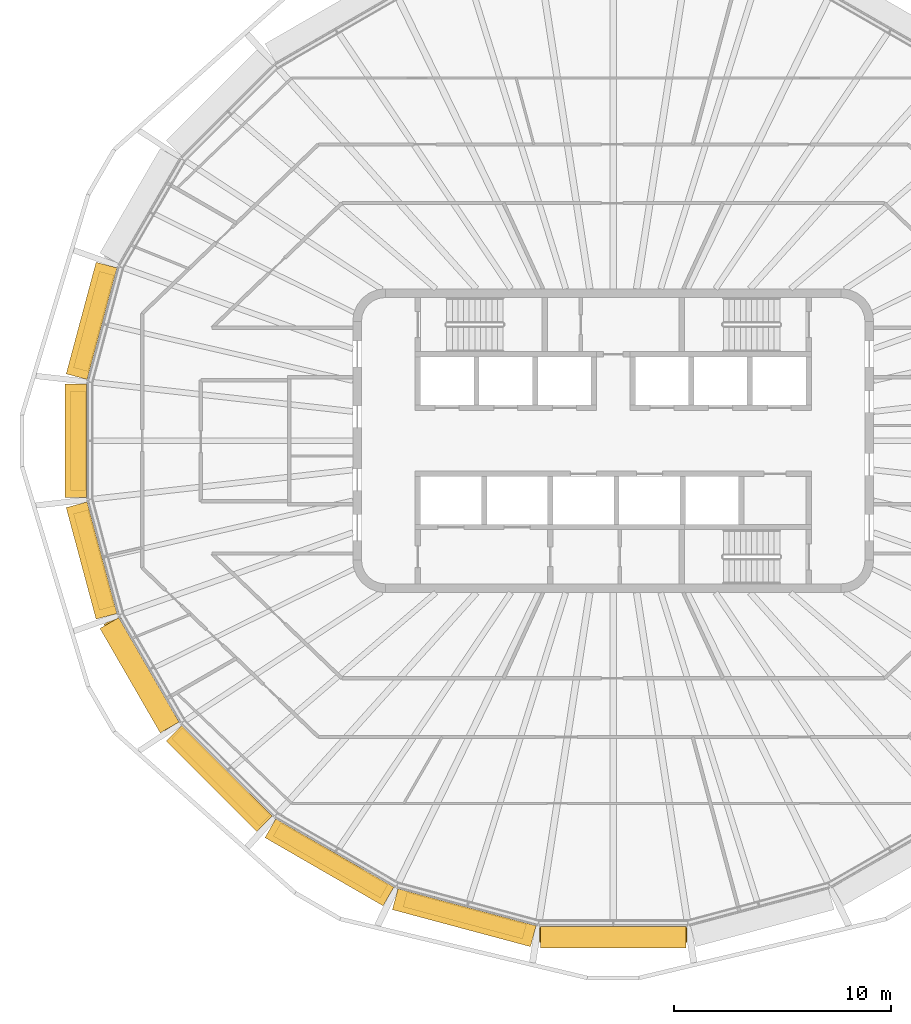
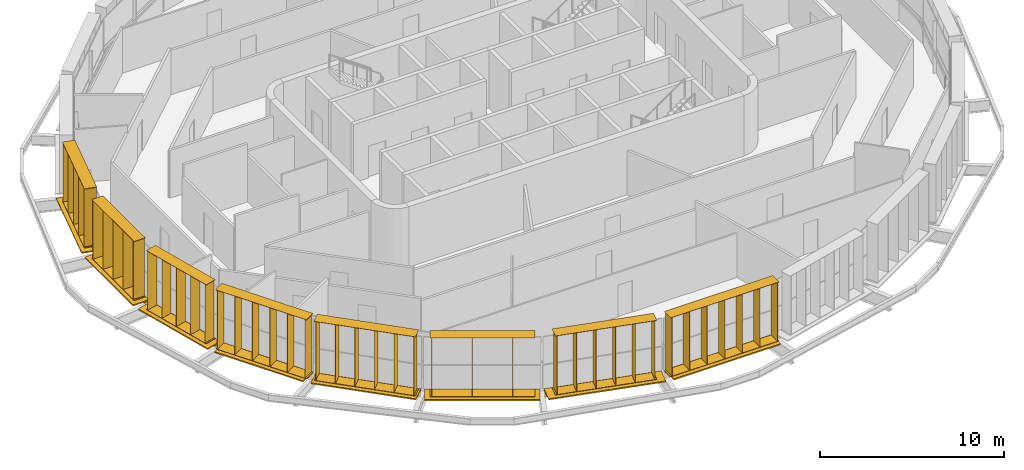
# One storey, part 14 of 18: 16 shading devices.
"""IFC4 building model written with IfcOpenShell, lengths in metres."""

import ifcopenshell
import ifcopenshell.guid

model = None  # the IFC model being written
_history = None  # IfcOwnerHistory: only IFC2X3 demands one
_inside = {}  # id of a spatial element -> (the spatial element, [elements in it])
_under = {}  # id of a project, library or spatial element -> (it, [spatial elements below it])
_declared = {}  # id of a project -> (the project, [libraries it declares])
_typed = {}  # id of a type object -> (the type object, [elements of that type])
_made_of = {}  # id of a material, layer set ... -> (it, [elements and type objects made of it])


def new_model(schema):
    """Start an empty IFC model of exactly this schema.

    Asked for "IFC4X3", IfcOpenShell would pick the latest addendum, in which some entities
    have other attributes; the version numbers below select the first issue.
    IFC2X3 requires an IfcOwnerHistory on every rooted entity: one is made here for all.
    """
    global model, _history
    if schema == "IFC4X3":
        model = ifcopenshell.file(schema_version=(4, 3, 0, 0))
    else:
        model = ifcopenshell.file(schema=schema)
    _inside.clear()
    _under.clear()
    _declared.clear()
    _typed.clear()
    _made_of.clear()
    _history = None
    if model.schema == "IFC2X3":
        org = make("IfcOrganization", Name="unknown")
        user = make(
            "IfcPersonAndOrganization",
            ThePerson=make("IfcPerson", FamilyName="unknown"),
            TheOrganization=org,
        )
        app = make(
            "IfcApplication",
            ApplicationDeveloper=org,
            Version="unknown",
            ApplicationFullName="unknown",
            ApplicationIdentifier="unknown",
        )
        _history = make(
            "IfcOwnerHistory",
            OwningUser=user,
            OwningApplication=app,
            ChangeAction="ADDED",
            CreationDate=0,
        )
    return model


def make(cls, **values):
    """One entity of the class cls with the attributes given. An attribute that is None is left unset."""
    return model.create_entity(
        cls, **{name: value for name, value in values.items() if value is not None}
    )


def rooted(cls, **values):
    """An entity with a GlobalId (a new one), such as an element, a storey or a relation."""
    return make(cls, GlobalId=ifcopenshell.guid.new(), OwnerHistory=_history, **values)


def si_unit(unit_type, name, prefix=None):
    """IfcSIUnit, for example si_unit("LENGTHUNIT", "METRE", prefix="MILLI")."""
    return make("IfcSIUnit", UnitType=unit_type, Prefix=prefix, Name=name)


def assignment(units):
    """IfcUnitAssignment: the units of a project."""
    return None if units is None else make("IfcUnitAssignment", Units=units)


def point(xyz):
    """IfcCartesianPoint."""
    return None if xyz is None else make("IfcCartesianPoint", Coordinates=xyz)


def direction(xyz):
    """IfcDirection."""
    return None if xyz is None else make("IfcDirection", DirectionRatios=xyz)


def frame(location, z_axis=None, x_axis=None):
    """IfcAxis2Placement3D, a coordinate frame: its origin and axes. An axis left out is left unset."""
    return make(
        "IfcAxis2Placement3D",
        Location=point(location),
        Axis=direction(z_axis),
        RefDirection=direction(x_axis),
    )


def frame_2d(location, x_axis=None):
    """IfcAxis2Placement2D, a coordinate frame in the plane: its origin and x axis."""
    return make(
        "IfcAxis2Placement2D", Location=point(location), RefDirection=direction(x_axis)
    )


def origin():
    """The frame at (0, 0, 0) with its axes left unset."""
    return frame((0.0, 0.0, 0.0))


def origin_2d():
    """The frame at (0, 0) in the plane with its x axis left unset."""
    return frame_2d((0.0, 0.0))


def place(relative_to, where):
    """IfcLocalPlacement: puts the frame where relative to a parent placement (None: the world)."""
    return make(
        "IfcLocalPlacement", PlacementRelTo=relative_to, RelativePlacement=where
    )


def context(
    kind, dimensions, precision=None, world=None, true_north=None, identifier=None
):
    """IfcGeometricRepresentationContext, for example the 3D "Model" context."""
    return make(
        "IfcGeometricRepresentationContext",
        ContextIdentifier=identifier,
        ContextType=kind,
        CoordinateSpaceDimension=dimensions,
        Precision=precision,
        WorldCoordinateSystem=world,
        TrueNorth=true_north,
    )


def subcontext(parent, identifier, kind, view, scale=None):
    """IfcGeometricRepresentationSubContext, for example "Body" below "Model"."""
    return make(
        "IfcGeometricRepresentationSubContext",
        ContextIdentifier=identifier,
        ContextType=kind,
        ParentContext=parent,
        TargetScale=scale,
        TargetView=view,
    )


def project(units=None, contexts=None):
    """IfcProject with its units and contexts."""
    return rooted(
        "IfcProject",
        Name="project",
        RepresentationContexts=contexts,
        UnitsInContext=assignment(units),
    )


def spatial(cls, under=None, at=None, **own):
    """A site, building, storey or space (cls), placed at a placement, below another one or the project."""
    s = rooted(cls, ObjectPlacement=at, **own)
    if under is not None:
        _under.setdefault(under.id(), (under, []))[1].append(s)
    return s


def profile(cls, at=None, kind="AREA", **sizes):
    """A parametric profile (cls). Its sizes go by their IFC names, for example OverallWidth=200.0."""
    return make(cls, ProfileType=kind, Position=at, **sizes)


def rectangle(**sizes):
    """IfcRectangleProfileDef."""
    return profile("IfcRectangleProfileDef", **sizes)


def extrude(swept, where, along, depth):
    """IfcExtrudedAreaSolid: the profile swept, set in the frame where, extruded along a direction by depth."""
    return make(
        "IfcExtrudedAreaSolid",
        SweptArea=swept,
        Position=where,
        ExtrudedDirection=direction(along),
        Depth=depth,
    )


def shape(context_of_items, identifier, shape_type, items):
    """IfcShapeRepresentation: the items that make up one representation, for example the "Body"."""
    return make(
        "IfcShapeRepresentation",
        ContextOfItems=context_of_items,
        RepresentationIdentifier=identifier,
        RepresentationType=shape_type,
        Items=items,
    )


def material(Name=None, Category=None):
    """IfcMaterial."""
    return make("IfcMaterial", Name=Name, Category=Category)


def made_of(thing, what):
    """Note that an element or type object is made of a material, layer set ...; save() writes the relation."""
    if what is not None:
        _made_of.setdefault(what.id(), (what, []))[1].append(thing)
    return thing


def type_object(cls, material=None, **own):
    """A type object (cls), such as IfcWallType, which elements share."""
    return made_of(rooted(cls, **own), material)


def element(
    cls,
    number,
    at=None,
    inside=None,
    cuts=None,
    type_object=None,
    material=None,
    context=None,
    identifier="Body",
    shape_type=None,
    held_by="IfcProductDefinitionShape",
    body=None,
    shapes=None,
    **own,
):
    """One element of the class cls, such as IfcWall. Its Tag is "e" and its number.

    at: its placement. inside: the storey or other place that contains it. cuts: it is an
    opening in that element (IfcRelVoidsElement). A single representation is given by context,
    identifier, shape_type and body (its items); several are given by shapes. held_by: the class
    of the entity that holds the representations. save() writes the other relations.
    """
    e = rooted(cls, Tag="e%d" % number, ObjectPlacement=at, **own)
    if body is not None:
        shapes = [shape(context, identifier, shape_type, body)]
    if shapes is not None:
        e.Representation = make(held_by, Representations=shapes)
    if inside is not None:
        _inside.setdefault(inside.id(), (inside, []))[1].append(e)
    if cuts is not None:
        rooted(
            "IfcRelVoidsElement", RelatingBuildingElement=cuts, RelatedOpeningElement=e
        )
    if type_object is not None:
        _typed.setdefault(type_object.id(), (type_object, []))[1].append(e)
    return made_of(e, material)


def aggregate(whole, parts):
    """IfcRelAggregates: a whole, such as a stair, and the parts it consists of."""
    return rooted("IfcRelAggregates", RelatingObject=whole, RelatedObjects=parts)


def save(model, path):
    """Write the relations noted so far, then the file.

    IfcRelAggregates (storeys below a building ...), IfcRelContainedInSpatialStructure (elements
    in a storey), IfcRelDefinesByType, IfcRelAssociatesMaterial and IfcRelDeclares: one each for
    every whole, place, type object, material and project.
    """
    for whole, parts in _under.values():
        aggregate(whole, parts)
    for where, things in _inside.values():
        rooted(
            "IfcRelContainedInSpatialStructure",
            RelatedElements=things,
            RelatingStructure=where,
        )
    for kind, things in _typed.values():
        rooted("IfcRelDefinesByType", RelatedObjects=things, RelatingType=kind)
    for what, things in _made_of.values():
        rooted("IfcRelAssociatesMaterial", RelatedObjects=things, RelatingMaterial=what)
    for by, libraries in _declared.values():
        rooted("IfcRelDeclares", RelatingContext=by, RelatedDefinitions=libraries)
    model.write(path)


model = new_model("IFC4")

# Units and contexts
model_context = context("Model", 3, precision=1e-05, world=origin(), true_north=direction((0.0, 1.0)))
body_context = subcontext(model_context, "Body", "Model", "MODEL_VIEW")
ifc_project = project(units=[si_unit("LENGTHUNIT", "METRE"), si_unit("AREAUNIT", "SQUARE_METRE"), si_unit("VOLUMEUNIT", "CUBIC_METRE"), si_unit("PLANEANGLEUNIT", "RADIAN"), si_unit("MASSUNIT", "GRAM", prefix="KILO")], contexts=[model_context])

# Site, building, storey
site_placement = place(None, origin())
site = spatial("IfcSite", under=ifc_project, at=site_placement, CompositionType="ELEMENT")
building_placement = place(site_placement, origin())
building = spatial("IfcBuilding", under=site, at=building_placement, Name="Sahrelin Media Tower", CompositionType="ELEMENT")
storey_placement = place(building_placement, frame((0.0, 0.0, 320.39990234375)))
storey = spatial("IfcBuildingStorey", under=building, at=storey_placement, Name="L71", CompositionType="ELEMENT", Elevation=320.39990234375)

# Shading devices
ifc_material = material(Name="Champagne anodised aluminium 6063-T6", Category="aluminium")
shading_device_type_1 = type_object("IfcShadingDeviceType", Name="Fin cassette", PredefinedType="USERDEFINED", material=ifc_material)
placement_1 = place(storey_placement, frame((-23.5283203125, 5.38671875, 0.0), z_axis=(0.0, 0.0, 1.0), x_axis=(0.258807731996, 0.965928857556, 0.0)))
element("IfcShadingDevice", 1, at=placement_1, inside=storey, type_object=shading_device_type_1, Name="L71:FIN:L71-11", ObjectType="FIN", PredefinedType="USERDEFINED", context=body_context, shape_type="SweptSolid", body=[
    extrude(rectangle(XDim=4.60009765625, YDim=0.699951171875, at=origin_2d()), frame((0.0, 0.419921875, 0.0)), (0.0, 0.0, 1.0), 0.02001953125),
    extrude(rectangle(XDim=4.60009765625, YDim=0.699951171875, at=origin_2d()), frame((0.0, 0.419921875, 3.89990234375)), (0.0, 0.0, 1.0), 0.02001953125),
    extrude(rectangle(XDim=0.02001953125, YDim=0.699951171875, at=origin_2d()), frame((-2.199951171875, 0.419921875, 0.010009765625), z_axis=(0.0, 0.0, 1.0), x_axis=(1.0, 0.0, 0.0)), (0.0, 0.0, 1.0), 3.89990234375),
    extrude(rectangle(XDim=0.02001953125, YDim=0.699951171875, at=origin_2d()), frame((-1.10009765625, 0.419921875, 0.010009765625), z_axis=(0.0, 0.0, 1.0), x_axis=(1.0, 0.0, 0.0)), (0.0, 0.0, 1.0), 3.89990234375),
    extrude(rectangle(XDim=0.02001953125, YDim=0.699951171875, at=origin_2d()), frame((0.0, 0.419921875, 0.010009765625), z_axis=(0.0, 0.0, 1.0), x_axis=(1.0, 0.0, 0.0)), (0.0, 0.0, 1.0), 3.89990234375),
    extrude(rectangle(XDim=0.02001953125, YDim=0.699951171875, at=origin_2d()), frame((1.10009765625, 0.419921875, 0.010009765625), z_axis=(0.0, 0.0, 1.0), x_axis=(1.0, 0.0, 0.0)), (0.0, 0.0, 1.0), 3.89990234375),
    extrude(rectangle(XDim=0.02001953125, YDim=0.699951171875, at=origin_2d()), frame((2.199951171875, 0.419921875, 0.010009765625), z_axis=(0.0, 0.0, 1.0), x_axis=(1.0, 0.0, 0.0)), (0.0, 0.0, 1.0), 3.89990234375),
])
placement_2 = place(storey_placement, frame((-24.24267578125, 0.0, 0.0), z_axis=(0.0, 0.0, 1.0), x_axis=(0.0, 1.0, 0.0)))
element("IfcShadingDevice", 2, at=placement_2, inside=storey, type_object=shading_device_type_1, Name="L71:FIN:L71-12", ObjectType="FIN", PredefinedType="USERDEFINED", context=body_context, shape_type="SweptSolid", body=[
    extrude(rectangle(XDim=4.60009765625, YDim=0.699951171875, at=origin_2d()), frame((0.0, 0.419921875, 0.0)), (0.0, 0.0, 1.0), 0.02001953125),
    extrude(rectangle(XDim=4.60009765625, YDim=0.699951171875, at=origin_2d()), frame((0.0, 0.419921875, 3.89990234375)), (0.0, 0.0, 1.0), 0.02001953125),
    extrude(rectangle(XDim=0.02001953125, YDim=0.699951171875, at=origin_2d()), frame((-2.199951171875, 0.419921875, 0.010009765625), z_axis=(0.0, 0.0, 1.0), x_axis=(1.0, 0.0, 0.0)), (0.0, 0.0, 1.0), 3.89990234375),
    extrude(rectangle(XDim=0.02001953125, YDim=0.699951171875, at=origin_2d()), frame((-1.10009765625, 0.419921875, 0.010009765625), z_axis=(0.0, 0.0, 1.0), x_axis=(1.0, 0.0, 0.0)), (0.0, 0.0, 1.0), 3.89990234375),
    extrude(rectangle(XDim=0.02001953125, YDim=0.699951171875, at=origin_2d()), frame((0.0, 0.419921875, 0.010009765625), z_axis=(0.0, 0.0, 1.0), x_axis=(1.0, 0.0, 0.0)), (0.0, 0.0, 1.0), 3.89990234375),
    extrude(rectangle(XDim=0.02001953125, YDim=0.699951171875, at=origin_2d()), frame((1.10009765625, 0.419921875, 0.010009765625), z_axis=(0.0, 0.0, 1.0), x_axis=(1.0, 0.0, 0.0)), (0.0, 0.0, 1.0), 3.89990234375),
    extrude(rectangle(XDim=0.02001953125, YDim=0.699951171875, at=origin_2d()), frame((2.199951171875, 0.419921875, 0.010009765625), z_axis=(0.0, 0.0, 1.0), x_axis=(1.0, 0.0, 0.0)), (0.0, 0.0, 1.0), 3.89990234375),
])
placement_3 = place(storey_placement, frame((-23.5283203125, -5.38671875, 0.0), z_axis=(0.0, 0.0, 1.0), x_axis=(-0.258807731996, 0.965928857556, 0.0)))
element("IfcShadingDevice", 3, at=placement_3, inside=storey, type_object=shading_device_type_1, Name="L71:FIN:L71-13", ObjectType="FIN", PredefinedType="USERDEFINED", context=body_context, shape_type="SweptSolid", body=[
    extrude(rectangle(XDim=4.60009765625, YDim=0.699951171875, at=origin_2d()), frame((0.0, 0.419921875, 0.0)), (0.0, 0.0, 1.0), 0.02001953125),
    extrude(rectangle(XDim=4.60009765625, YDim=0.699951171875, at=origin_2d()), frame((0.0, 0.419921875, 3.89990234375)), (0.0, 0.0, 1.0), 0.02001953125),
    extrude(rectangle(XDim=0.02001953125, YDim=0.699951171875, at=origin_2d()), frame((-2.199951171875, 0.419921875, 0.010009765625), z_axis=(0.0, 0.0, 1.0), x_axis=(1.0, 0.0, 0.0)), (0.0, 0.0, 1.0), 3.89990234375),
    extrude(rectangle(XDim=0.02001953125, YDim=0.699951171875, at=origin_2d()), frame((-1.10009765625, 0.419921875, 0.010009765625), z_axis=(0.0, 0.0, 1.0), x_axis=(1.0, 0.0, 0.0)), (0.0, 0.0, 1.0), 3.89990234375),
    extrude(rectangle(XDim=0.02001953125, YDim=0.699951171875, at=origin_2d()), frame((0.0, 0.419921875, 0.010009765625), z_axis=(0.0, 0.0, 1.0), x_axis=(1.0, 0.0, 0.0)), (0.0, 0.0, 1.0), 3.89990234375),
    extrude(rectangle(XDim=0.02001953125, YDim=0.699951171875, at=origin_2d()), frame((1.10009765625, 0.419921875, 0.010009765625), z_axis=(0.0, 0.0, 1.0), x_axis=(1.0, 0.0, 0.0)), (0.0, 0.0, 1.0), 3.89990234375),
    extrude(rectangle(XDim=0.02001953125, YDim=0.699951171875, at=origin_2d()), frame((2.199951171875, 0.419921875, 0.010009765625), z_axis=(0.0, 0.0, 1.0), x_axis=(1.0, 0.0, 0.0)), (0.0, 0.0, 1.0), 3.89990234375),
])
placement_4 = place(storey_placement, frame((-21.37451171875, -10.5458984375, 0.0), z_axis=(0.0, 0.0, 1.0), x_axis=(-0.500011000363, 0.866019052629, 0.0)))
element("IfcShadingDevice", 4, at=placement_4, inside=storey, type_object=shading_device_type_1, Name="L71:FIN:L71-14", ObjectType="FIN", PredefinedType="USERDEFINED", context=body_context, shape_type="SweptSolid", body=[
    extrude(rectangle(XDim=5.699951171875, YDim=0.699951171875, at=origin_2d()), frame((0.0, 0.419921875, 0.0)), (0.0, 0.0, 1.0), 0.02001953125),
    extrude(rectangle(XDim=5.699951171875, YDim=0.699951171875, at=origin_2d()), frame((0.0, 0.419921875, 3.89990234375)), (0.0, 0.0, 1.0), 0.02001953125),
    extrude(rectangle(XDim=0.02001953125, YDim=0.699951171875, at=origin_2d()), frame((-2.75, 0.419921875, 0.010009765625), z_axis=(0.0, 0.0, 1.0), x_axis=(1.0, 0.0, 0.0)), (0.0, 0.0, 1.0), 3.89990234375),
    extrude(rectangle(XDim=0.02001953125, YDim=0.699951171875, at=origin_2d()), frame((-1.64990234375, 0.419921875, 0.010009765625), z_axis=(0.0, 0.0, 1.0), x_axis=(1.0, 0.0, 0.0)), (0.0, 0.0, 1.0), 3.89990234375),
    extrude(rectangle(XDim=0.02001953125, YDim=0.699951171875, at=origin_2d()), frame((-0.550048828125, 0.419921875, 0.010009765625), z_axis=(0.0, 0.0, 1.0), x_axis=(1.0, 0.0, 0.0)), (0.0, 0.0, 1.0), 3.89990234375),
    extrude(rectangle(XDim=0.02001953125, YDim=0.699951171875, at=origin_2d()), frame((0.550048828125, 0.419921875, 0.010009765625), z_axis=(0.0, 0.0, 1.0), x_axis=(1.0, 0.0, 0.0)), (0.0, 0.0, 1.0), 3.89990234375),
    extrude(rectangle(XDim=0.02001953125, YDim=0.699951171875, at=origin_2d()), frame((1.64990234375, 0.419921875, 0.010009765625), z_axis=(0.0, 0.0, 1.0), x_axis=(1.0, 0.0, 0.0)), (0.0, 0.0, 1.0), 3.89990234375),
    extrude(rectangle(XDim=0.02001953125, YDim=0.699951171875, at=origin_2d()), frame((2.75, 0.419921875, 0.010009765625), z_axis=(0.0, 0.0, 1.0), x_axis=(1.0, 0.0, 0.0)), (0.0, 0.0, 1.0), 3.89990234375),
])
placement_5 = place(storey_placement, frame((-17.7783203125, -15.195556640625, 0.0), z_axis=(0.0, 0.0, 1.0), x_axis=(-0.707106781187, 0.707106781187, 0.0)))
element("IfcShadingDevice", 5, at=placement_5, inside=storey, type_object=shading_device_type_1, Name="L71:FIN:L71-15", ObjectType="FIN", PredefinedType="USERDEFINED", context=body_context, shape_type="SweptSolid", body=[
    extrude(rectangle(XDim=5.699951171875, YDim=0.699951171875, at=origin_2d()), frame((0.0, 0.419921875, 0.0)), (0.0, 0.0, 1.0), 0.02001953125),
    extrude(rectangle(XDim=5.699951171875, YDim=0.699951171875, at=origin_2d()), frame((0.0, 0.419921875, 3.89990234375)), (0.0, 0.0, 1.0), 0.02001953125),
    extrude(rectangle(XDim=0.02001953125, YDim=0.699951171875, at=origin_2d()), frame((-2.75, 0.419921875, 0.010009765625), z_axis=(0.0, 0.0, 1.0), x_axis=(1.0, 0.0, 0.0)), (0.0, 0.0, 1.0), 3.89990234375),
    extrude(rectangle(XDim=0.02001953125, YDim=0.699951171875, at=origin_2d()), frame((-1.64990234375, 0.419921875, 0.010009765625), z_axis=(0.0, 0.0, 1.0), x_axis=(1.0, 0.0, 0.0)), (0.0, 0.0, 1.0), 3.89990234375),
    extrude(rectangle(XDim=0.02001953125, YDim=0.699951171875, at=origin_2d()), frame((-0.550048828125, 0.419921875, 0.010009765625), z_axis=(0.0, 0.0, 1.0), x_axis=(1.0, 0.0, 0.0)), (0.0, 0.0, 1.0), 3.89990234375),
    extrude(rectangle(XDim=0.02001953125, YDim=0.699951171875, at=origin_2d()), frame((0.550048828125, 0.419921875, 0.010009765625), z_axis=(0.0, 0.0, 1.0), x_axis=(1.0, 0.0, 0.0)), (0.0, 0.0, 1.0), 3.89990234375),
    extrude(rectangle(XDim=0.02001953125, YDim=0.699951171875, at=origin_2d()), frame((1.64990234375, 0.419921875, 0.010009765625), z_axis=(0.0, 0.0, 1.0), x_axis=(1.0, 0.0, 0.0)), (0.0, 0.0, 1.0), 3.89990234375),
    extrude(rectangle(XDim=0.02001953125, YDim=0.699951171875, at=origin_2d()), frame((2.75, 0.419921875, 0.010009765625), z_axis=(0.0, 0.0, 1.0), x_axis=(1.0, 0.0, 0.0)), (0.0, 0.0, 1.0), 3.89990234375),
])
placement_6 = place(storey_placement, frame((-12.813720703125, -18.973876953125, 0.0), z_axis=(0.0, 0.0, 1.0), x_axis=(-0.866019052629, 0.500011000363, 0.0)))
element("IfcShadingDevice", 6, at=placement_6, inside=storey, type_object=shading_device_type_1, Name="L71:FIN:L71-16", ObjectType="FIN", PredefinedType="USERDEFINED", context=body_context, shape_type="SweptSolid", body=[
    extrude(rectangle(XDim=5.699951171875, YDim=0.699951171875, at=origin_2d()), frame((0.0, 0.419921875, 0.0)), (0.0, 0.0, 1.0), 0.02001953125),
    extrude(rectangle(XDim=5.699951171875, YDim=0.699951171875, at=origin_2d()), frame((0.0, 0.419921875, 3.89990234375)), (0.0, 0.0, 1.0), 0.02001953125),
    extrude(rectangle(XDim=0.02001953125, YDim=0.699951171875, at=origin_2d()), frame((-2.75, 0.419921875, 0.010009765625), z_axis=(0.0, 0.0, 1.0), x_axis=(1.0, 0.0, 0.0)), (0.0, 0.0, 1.0), 3.89990234375),
    extrude(rectangle(XDim=0.02001953125, YDim=0.699951171875, at=origin_2d()), frame((-1.64990234375, 0.419921875, 0.010009765625), z_axis=(0.0, 0.0, 1.0), x_axis=(1.0, 0.0, 0.0)), (0.0, 0.0, 1.0), 3.89990234375),
    extrude(rectangle(XDim=0.02001953125, YDim=0.699951171875, at=origin_2d()), frame((-0.550048828125, 0.419921875, 0.010009765625), z_axis=(0.0, 0.0, 1.0), x_axis=(1.0, 0.0, 0.0)), (0.0, 0.0, 1.0), 3.89990234375),
    extrude(rectangle(XDim=0.02001953125, YDim=0.699951171875, at=origin_2d()), frame((0.550048828125, 0.419921875, 0.010009765625), z_axis=(0.0, 0.0, 1.0), x_axis=(1.0, 0.0, 0.0)), (0.0, 0.0, 1.0), 3.89990234375),
    extrude(rectangle(XDim=0.02001953125, YDim=0.699951171875, at=origin_2d()), frame((1.64990234375, 0.419921875, 0.010009765625), z_axis=(0.0, 0.0, 1.0), x_axis=(1.0, 0.0, 0.0)), (0.0, 0.0, 1.0), 3.89990234375),
    extrude(rectangle(XDim=0.02001953125, YDim=0.699951171875, at=origin_2d()), frame((2.75, 0.419921875, 0.010009765625), z_axis=(0.0, 0.0, 1.0), x_axis=(1.0, 0.0, 0.0)), (0.0, 0.0, 1.0), 3.89990234375),
])
placement_7 = place(storey_placement, frame((-6.72900390625, -21.47265625, 0.0), z_axis=(0.0, 0.0, 1.0), x_axis=(-0.965928857556, 0.258807731996, 0.0)))
element("IfcShadingDevice", 7, at=placement_7, inside=storey, type_object=shading_device_type_1, Name="L71:FIN:L71-17", ObjectType="FIN", PredefinedType="USERDEFINED", context=body_context, shape_type="SweptSolid", body=[
    extrude(rectangle(XDim=5.699951171875, YDim=0.699951171875, at=origin_2d()), frame((0.0, 0.419921875, 0.0)), (0.0, 0.0, 1.0), 0.02001953125),
    extrude(rectangle(XDim=5.699951171875, YDim=0.699951171875, at=origin_2d()), frame((0.0, 0.419921875, 3.89990234375)), (0.0, 0.0, 1.0), 0.02001953125),
    extrude(rectangle(XDim=0.02001953125, YDim=0.699951171875, at=origin_2d()), frame((-2.75, 0.419921875, 0.010009765625), z_axis=(0.0, 0.0, 1.0), x_axis=(1.0, 0.0, 0.0)), (0.0, 0.0, 1.0), 3.89990234375),
    extrude(rectangle(XDim=0.02001953125, YDim=0.699951171875, at=origin_2d()), frame((-1.64990234375, 0.419921875, 0.010009765625), z_axis=(0.0, 0.0, 1.0), x_axis=(1.0, 0.0, 0.0)), (0.0, 0.0, 1.0), 3.89990234375),
    extrude(rectangle(XDim=0.02001953125, YDim=0.699951171875, at=origin_2d()), frame((-0.550048828125, 0.419921875, 0.010009765625), z_axis=(0.0, 0.0, 1.0), x_axis=(1.0, 0.0, 0.0)), (0.0, 0.0, 1.0), 3.89990234375),
    extrude(rectangle(XDim=0.02001953125, YDim=0.699951171875, at=origin_2d()), frame((0.550048828125, 0.419921875, 0.010009765625), z_axis=(0.0, 0.0, 1.0), x_axis=(1.0, 0.0, 0.0)), (0.0, 0.0, 1.0), 3.89990234375),
    extrude(rectangle(XDim=0.02001953125, YDim=0.699951171875, at=origin_2d()), frame((1.64990234375, 0.419921875, 0.010009765625), z_axis=(0.0, 0.0, 1.0), x_axis=(1.0, 0.0, 0.0)), (0.0, 0.0, 1.0), 3.89990234375),
    extrude(rectangle(XDim=0.02001953125, YDim=0.699951171875, at=origin_2d()), frame((2.75, 0.419921875, 0.010009765625), z_axis=(0.0, 0.0, 1.0), x_axis=(1.0, 0.0, 0.0)), (0.0, 0.0, 1.0), 3.89990234375),
])
placement_8 = place(storey_placement, frame((0.0, -22.350830078125, 0.0), z_axis=(0.0, 0.0, 1.0), x_axis=(-1.0, 0.0, 0.0)))
element("IfcShadingDevice", 8, at=placement_8, inside=storey, type_object=shading_device_type_1, Name="L71:FIN:L71-18", ObjectType="FIN", PredefinedType="USERDEFINED", context=body_context, shape_type="SweptSolid", body=[
    extrude(rectangle(XDim=6.800048828125, YDim=0.699951171875, at=origin_2d()), frame((0.0, 0.419921875, 0.0)), (0.0, 0.0, 1.0), 0.02001953125),
    extrude(rectangle(XDim=6.800048828125, YDim=0.699951171875, at=origin_2d()), frame((0.0, 0.419921875, 3.89990234375)), (0.0, 0.0, 1.0), 0.02001953125),
    extrude(rectangle(XDim=0.02001953125, YDim=0.699951171875, at=origin_2d()), frame((-3.300048828125, 0.419921875, 0.010009765625), z_axis=(0.0, 0.0, 1.0), x_axis=(1.0, 0.0, 0.0)), (0.0, 0.0, 1.0), 3.89990234375),
    extrude(rectangle(XDim=0.02001953125, YDim=0.699951171875, at=origin_2d()), frame((-2.199951171875, 0.419921875, 0.010009765625), z_axis=(0.0, 0.0, 1.0), x_axis=(1.0, 0.0, 0.0)), (0.0, 0.0, 1.0), 3.89990234375),
    extrude(rectangle(XDim=0.02001953125, YDim=0.699951171875, at=origin_2d()), frame((-1.10009765625, 0.419921875, 0.010009765625), z_axis=(0.0, 0.0, 1.0), x_axis=(1.0, 0.0, 0.0)), (0.0, 0.0, 1.0), 3.89990234375),
    extrude(rectangle(XDim=0.02001953125, YDim=0.699951171875, at=origin_2d()), frame((0.0, 0.419921875, 0.010009765625), z_axis=(0.0, 0.0, 1.0), x_axis=(1.0, 0.0, 0.0)), (0.0, 0.0, 1.0), 3.89990234375),
    extrude(rectangle(XDim=0.02001953125, YDim=0.699951171875, at=origin_2d()), frame((1.10009765625, 0.419921875, 0.010009765625), z_axis=(0.0, 0.0, 1.0), x_axis=(1.0, 0.0, 0.0)), (0.0, 0.0, 1.0), 3.89990234375),
    extrude(rectangle(XDim=0.02001953125, YDim=0.699951171875, at=origin_2d()), frame((2.199951171875, 0.419921875, 0.010009765625), z_axis=(0.0, 0.0, 1.0), x_axis=(1.0, 0.0, 0.0)), (0.0, 0.0, 1.0), 3.89990234375),
    extrude(rectangle(XDim=0.02001953125, YDim=0.699951171875, at=origin_2d()), frame((3.300048828125, 0.419921875, 0.010009765625), z_axis=(0.0, 0.0, 1.0), x_axis=(1.0, 0.0, 0.0)), (0.0, 0.0, 1.0), 3.89990234375),
])
shading_device_type_2 = type_object("IfcShadingDeviceType", Name="Sunshade band", PredefinedType="USERDEFINED", material=ifc_material)
element("IfcShadingDevice", 9, at=placement_1, inside=storey, type_object=shading_device_type_2, Name="L71:SUN:L71-11", ObjectType="SUNSHADE", PredefinedType="USERDEFINED", context=body_context, shape_type="SweptSolid", body=[
    extrude(rectangle(XDim=5.32177734375, YDim=0.050048828125, at=origin_2d()), frame((0.0, 0.044921875, -0.55126953125)), (0.0, 0.0, 1.0), 0.471435546875),
    extrude(rectangle(XDim=5.32177734375, YDim=1.0, at=origin_2d()), frame((0.0, 0.52001953125, -0.080078125)), (0.0, 0.0, 1.0), 0.080078125),
    extrude(rectangle(XDim=0.10009765625, YDim=0.074951171875, at=origin_2d()), frame((-2.560791015625, -0.017578125, -0.47021484375)), (0.0, 0.0, 1.0), 0.300048828125),
    extrude(rectangle(XDim=0.10009765625, YDim=0.074951171875, at=origin_2d()), frame((-0.853515625, -0.017578125, -0.47021484375)), (0.0, 0.0, 1.0), 0.300048828125),
    extrude(rectangle(XDim=0.10009765625, YDim=0.074951171875, at=origin_2d()), frame((0.853515625, -0.017578125, -0.47021484375)), (0.0, 0.0, 1.0), 0.300048828125),
    extrude(rectangle(XDim=0.10009765625, YDim=0.074951171875, at=origin_2d()), frame((2.560791015625, -0.017578125, -0.47021484375)), (0.0, 0.0, 1.0), 0.300048828125),
])
element("IfcShadingDevice", 10, at=placement_2, inside=storey, type_object=shading_device_type_2, Name="L71:SUN:L71-12", ObjectType="SUNSHADE", PredefinedType="USERDEFINED", context=body_context, shape_type="SweptSolid", body=[
    extrude(rectangle(XDim=5.23974609375, YDim=0.050048828125, at=origin_2d()), frame((0.0, 0.044921875, -0.55126953125)), (0.0, 0.0, 1.0), 0.471435546875),
    extrude(rectangle(XDim=5.23974609375, YDim=1.0, at=origin_2d()), frame((0.0, 0.52001953125, -0.080078125)), (0.0, 0.0, 1.0), 0.080078125),
    extrude(rectangle(XDim=0.10009765625, YDim=0.074951171875, at=origin_2d()), frame((-2.52001953125, -0.017578125, -0.47021484375)), (0.0, 0.0, 1.0), 0.300048828125),
    extrude(rectangle(XDim=0.10009765625, YDim=0.074951171875, at=origin_2d()), frame((-0.840087890625, -0.017578125, -0.47021484375)), (0.0, 0.0, 1.0), 0.300048828125),
    extrude(rectangle(XDim=0.10009765625, YDim=0.074951171875, at=origin_2d()), frame((0.840087890625, -0.017578125, -0.47021484375)), (0.0, 0.0, 1.0), 0.300048828125),
    extrude(rectangle(XDim=0.10009765625, YDim=0.074951171875, at=origin_2d()), frame((2.52001953125, -0.017578125, -0.47021484375)), (0.0, 0.0, 1.0), 0.300048828125),
])
element("IfcShadingDevice", 11, at=placement_3, inside=storey, type_object=shading_device_type_2, Name="L71:SUN:L71-13", ObjectType="SUNSHADE", PredefinedType="USERDEFINED", context=body_context, shape_type="SweptSolid", body=[
    extrude(rectangle(XDim=5.32177734375, YDim=0.050048828125, at=origin_2d()), frame((0.0, 0.044921875, -0.55126953125)), (0.0, 0.0, 1.0), 0.471435546875),
    extrude(rectangle(XDim=5.32177734375, YDim=1.0, at=origin_2d()), frame((0.0, 0.52001953125, -0.080078125)), (0.0, 0.0, 1.0), 0.080078125),
    extrude(rectangle(XDim=0.10009765625, YDim=0.074951171875, at=origin_2d()), frame((-2.560791015625, -0.017578125, -0.47021484375)), (0.0, 0.0, 1.0), 0.300048828125),
    extrude(rectangle(XDim=0.10009765625, YDim=0.074951171875, at=origin_2d()), frame((-0.853515625, -0.017578125, -0.47021484375)), (0.0, 0.0, 1.0), 0.300048828125),
    extrude(rectangle(XDim=0.10009765625, YDim=0.074951171875, at=origin_2d()), frame((0.853515625, -0.017578125, -0.47021484375)), (0.0, 0.0, 1.0), 0.300048828125),
    extrude(rectangle(XDim=0.10009765625, YDim=0.074951171875, at=origin_2d()), frame((2.560791015625, -0.017578125, -0.47021484375)), (0.0, 0.0, 1.0), 0.300048828125),
])
element("IfcShadingDevice", 12, at=placement_4, inside=storey, type_object=shading_device_type_2, Name="L71:SUN:L71-14", ObjectType="SUNSHADE", PredefinedType="USERDEFINED", context=body_context, shape_type="SweptSolid", body=[
    extrude(rectangle(XDim=5.5556640625, YDim=0.050048828125, at=origin_2d()), frame((0.0, 0.044921875, -0.55126953125)), (0.0, 0.0, 1.0), 0.471435546875),
    extrude(rectangle(XDim=5.5556640625, YDim=1.0, at=origin_2d()), frame((0.0, 0.52001953125, -0.080078125)), (0.0, 0.0, 1.0), 0.080078125),
    extrude(rectangle(XDim=0.10009765625, YDim=0.074951171875, at=origin_2d()), frame((-2.677978515625, -0.017578125, -0.47021484375)), (0.0, 0.0, 1.0), 0.300048828125),
    extrude(rectangle(XDim=0.10009765625, YDim=0.074951171875, at=origin_2d()), frame((-0.892578125, -0.017578125, -0.47021484375)), (0.0, 0.0, 1.0), 0.300048828125),
    extrude(rectangle(XDim=0.10009765625, YDim=0.074951171875, at=origin_2d()), frame((0.892578125, -0.017578125, -0.47021484375)), (0.0, 0.0, 1.0), 0.300048828125),
    extrude(rectangle(XDim=0.10009765625, YDim=0.074951171875, at=origin_2d()), frame((2.677978515625, -0.017578125, -0.47021484375)), (0.0, 0.0, 1.0), 0.300048828125),
])
element("IfcShadingDevice", 13, at=placement_5, inside=storey, type_object=shading_device_type_2, Name="L71:SUN:L71-15", ObjectType="SUNSHADE", PredefinedType="USERDEFINED", context=body_context, shape_type="SweptSolid", body=[
    extrude(rectangle(XDim=5.902099609375, YDim=0.050048828125, at=origin_2d()), frame((0.0, 0.044921875, -0.55126953125)), (0.0, 0.0, 1.0), 0.471435546875),
    extrude(rectangle(XDim=5.902099609375, YDim=1.0, at=origin_2d()), frame((0.0, 0.52001953125, -0.080078125)), (0.0, 0.0, 1.0), 0.080078125),
    extrude(rectangle(XDim=0.10009765625, YDim=0.074951171875, at=origin_2d()), frame((-2.85107421875, -0.017578125, -0.47021484375)), (0.0, 0.0, 1.0), 0.300048828125),
    extrude(rectangle(XDim=0.10009765625, YDim=0.074951171875, at=origin_2d()), frame((-0.950439453125, -0.017578125, -0.47021484375)), (0.0, 0.0, 1.0), 0.300048828125),
    extrude(rectangle(XDim=0.10009765625, YDim=0.074951171875, at=origin_2d()), frame((0.950439453125, -0.017578125, -0.47021484375)), (0.0, 0.0, 1.0), 0.300048828125),
    extrude(rectangle(XDim=0.10009765625, YDim=0.074951171875, at=origin_2d()), frame((2.85107421875, -0.017578125, -0.47021484375)), (0.0, 0.0, 1.0), 0.300048828125),
])
element("IfcShadingDevice", 14, at=placement_6, inside=storey, type_object=shading_device_type_2, Name="L71:SUN:L71-16", ObjectType="SUNSHADE", PredefinedType="USERDEFINED", context=body_context, shape_type="SweptSolid", body=[
    extrude(rectangle(XDim=6.282958984375, YDim=0.050048828125, at=origin_2d()), frame((0.0, 0.044921875, -0.55126953125)), (0.0, 0.0, 1.0), 0.471435546875),
    extrude(rectangle(XDim=6.282958984375, YDim=1.0, at=origin_2d()), frame((0.0, 0.52001953125, -0.080078125)), (0.0, 0.0, 1.0), 0.080078125),
    extrude(rectangle(XDim=0.10009765625, YDim=0.074951171875, at=origin_2d()), frame((-3.04150390625, -0.017578125, -0.47021484375)), (0.0, 0.0, 1.0), 0.300048828125),
    extrude(rectangle(XDim=0.10009765625, YDim=0.074951171875, at=origin_2d()), frame((-1.520751953125, -0.017578125, -0.47021484375)), (0.0, 0.0, 1.0), 0.300048828125),
    extrude(rectangle(XDim=0.10009765625, YDim=0.074951171875, at=origin_2d()), frame((0.0, -0.017578125, -0.47021484375)), (0.0, 0.0, 1.0), 0.300048828125),
    extrude(rectangle(XDim=0.10009765625, YDim=0.074951171875, at=origin_2d()), frame((1.520751953125, -0.017578125, -0.47021484375)), (0.0, 0.0, 1.0), 0.300048828125),
    extrude(rectangle(XDim=0.10009765625, YDim=0.074951171875, at=origin_2d()), frame((3.04150390625, -0.017578125, -0.47021484375)), (0.0, 0.0, 1.0), 0.300048828125),
])
element("IfcShadingDevice", 15, at=placement_7, inside=storey, type_object=shading_device_type_2, Name="L71:SUN:L71-17", ObjectType="SUNSHADE", PredefinedType="USERDEFINED", context=body_context, shape_type="SweptSolid", body=[
    extrude(rectangle(XDim=6.586181640625, YDim=0.050048828125, at=origin_2d()), frame((0.0, 0.044921875, -0.55126953125)), (0.0, 0.0, 1.0), 0.471435546875),
    extrude(rectangle(XDim=6.586181640625, YDim=1.0, at=origin_2d()), frame((0.0, 0.52001953125, -0.080078125)), (0.0, 0.0, 1.0), 0.080078125),
    extrude(rectangle(XDim=0.10009765625, YDim=0.074951171875, at=origin_2d()), frame((-3.193115234375, -0.017578125, -0.47021484375)), (0.0, 0.0, 1.0), 0.300048828125),
    extrude(rectangle(XDim=0.10009765625, YDim=0.074951171875, at=origin_2d()), frame((-1.5966796875, -0.017578125, -0.47021484375)), (0.0, 0.0, 1.0), 0.300048828125),
    extrude(rectangle(XDim=0.10009765625, YDim=0.074951171875, at=origin_2d()), frame((0.0, -0.017578125, -0.47021484375)), (0.0, 0.0, 1.0), 0.300048828125),
    extrude(rectangle(XDim=0.10009765625, YDim=0.074951171875, at=origin_2d()), frame((1.5966796875, -0.017578125, -0.47021484375)), (0.0, 0.0, 1.0), 0.300048828125),
    extrude(rectangle(XDim=0.10009765625, YDim=0.074951171875, at=origin_2d()), frame((3.193115234375, -0.017578125, -0.47021484375)), (0.0, 0.0, 1.0), 0.300048828125),
])
element("IfcShadingDevice", 16, at=placement_8, inside=storey, type_object=shading_device_type_2, Name="L71:SUN:L71-18", ObjectType="SUNSHADE", PredefinedType="USERDEFINED", context=body_context, shape_type="SweptSolid", body=[
    extrude(rectangle(XDim=6.702880859375, YDim=0.050048828125, at=origin_2d()), frame((0.0, 0.044921875, -0.55126953125)), (0.0, 0.0, 1.0), 0.471435546875),
    extrude(rectangle(XDim=6.702880859375, YDim=1.0, at=origin_2d()), frame((0.0, 0.52001953125, -0.080078125)), (0.0, 0.0, 1.0), 0.080078125),
    extrude(rectangle(XDim=0.10009765625, YDim=0.074951171875, at=origin_2d()), frame((-3.25146484375, -0.017578125, -0.47021484375)), (0.0, 0.0, 1.0), 0.300048828125),
    extrude(rectangle(XDim=0.10009765625, YDim=0.074951171875, at=origin_2d()), frame((-1.625732421875, -0.017578125, -0.47021484375)), (0.0, 0.0, 1.0), 0.300048828125),
    extrude(rectangle(XDim=0.10009765625, YDim=0.074951171875, at=origin_2d()), frame((0.0, -0.017578125, -0.47021484375)), (0.0, 0.0, 1.0), 0.300048828125),
    extrude(rectangle(XDim=0.10009765625, YDim=0.074951171875, at=origin_2d()), frame((1.625732421875, -0.017578125, -0.47021484375)), (0.0, 0.0, 1.0), 0.300048828125),
    extrude(rectangle(XDim=0.10009765625, YDim=0.074951171875, at=origin_2d()), frame((3.25146484375, -0.017578125, -0.47021484375)), (0.0, 0.0, 1.0), 0.300048828125),
])

save(model, "model.ifc")
